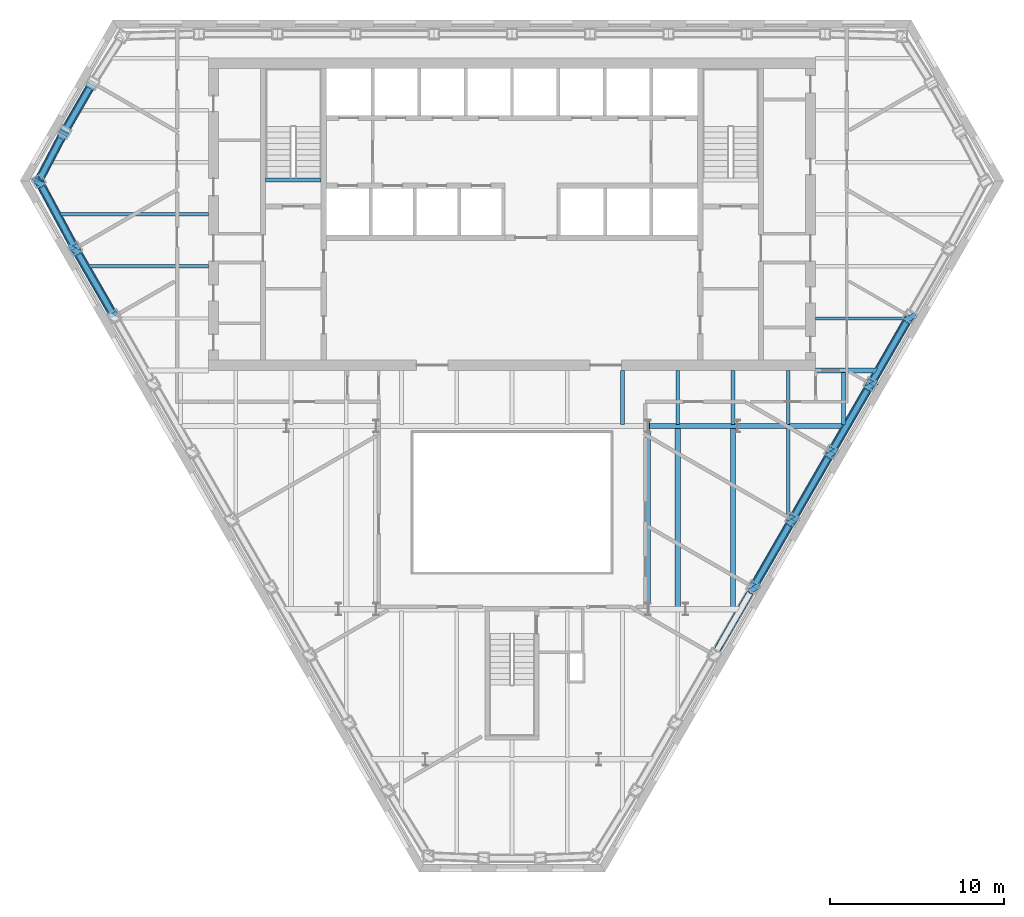
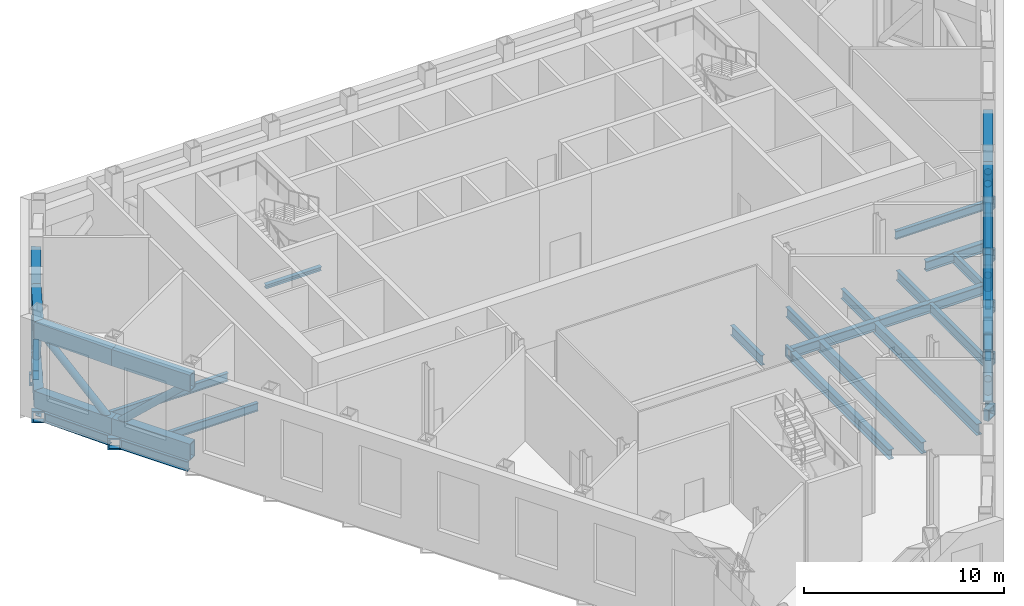
# One storey, part 4 of 14: 33 beams, 25 members.
"""IFC4 building model written with IfcOpenShell, lengths in metres."""

from ifc_helpers import new_model, si_unit, direction, frame, origin, origin_2d, place, context, subcontext, project, spatial, hollow_rectangle, hollow_circle, i_section, extrude, clip, halfspace, material, material_profile, profile_set, type_object, element, save


model = new_model("IFC4")

# Units and contexts
model_context = context("Model", 3, precision=1e-05, world=origin(), true_north=direction((0.0, 1.0)))
body_context = subcontext(model_context, "Body", "Model", "MODEL_VIEW")
ifc_project = project(units=[si_unit("LENGTHUNIT", "METRE"), si_unit("AREAUNIT", "SQUARE_METRE"), si_unit("VOLUMEUNIT", "CUBIC_METRE"), si_unit("PLANEANGLEUNIT", "RADIAN"), si_unit("MASSUNIT", "GRAM", prefix="KILO")], contexts=[model_context])

# Site, building, storey
site_placement = place(None, origin())
site = spatial("IfcSite", under=ifc_project, at=site_placement, CompositionType="ELEMENT")
building_placement = place(site_placement, origin())
building = spatial("IfcBuilding", under=site, at=building_placement, Name="Njiva Tower", CompositionType="ELEMENT")
storey_placement = place(building_placement, frame((0.0, 0.0, 78.3)))
storey = spatial("IfcBuildingStorey", under=building, at=storey_placement, Name="L16", CompositionType="ELEMENT", Elevation=78.3)

# Beams
ifc_material_1 = material(Name="Steel S355 J2", Category="steel")
ifc_material_profile_1 = material_profile(ifc_material_1, i_section(OverallWidth=0.3, OverallDepth=0.69, WebThickness=0.0145, FlangeThickness=0.027, at=origin_2d()), Name="HEA 700")
ifc_profile_set_1 = profile_set([ifc_material_profile_1], Name="Steel S355 J2")
beam_type_1 = type_object("IfcBeamType", Name="B12 Long-span floor joist HEA 700", PredefinedType="JOIST", material=ifc_profile_set_1)
for number, where, z_axis, x_axis, name in (
    (1, (9.55, -3.3, -0.545), (0.0, -1.0, 0.0), (1.0, 0.0, 0.0), "Long-span floor joist T1-B082"),
    (2, (12.733, -3.3, -0.545), (0.0, -1.0, 0.0), (1.0, 0.0, 0.0), "Long-span floor joist T1-B084"),
):
    element("IfcBeam", number, at=place(storey_placement, frame(where, z_axis=z_axis, x_axis=x_axis)), inside=storey, type_object=beam_type_1, Name=name, PredefinedType="JOIST", context=body_context, shape_type="SweptSolid", body=[
        extrude(i_section(OverallWidth=0.3, OverallDepth=0.69, WebThickness=0.0145, FlangeThickness=0.027, at=origin_2d()), origin(), (0.0, 0.0, 1.0), 10.35),
    ])
ifc_material_profile_2 = material_profile(ifc_material_1, i_section(OverallWidth=0.22, OverallDepth=0.6, WebThickness=0.012, FlangeThickness=0.019, at=origin_2d()), Name="IPE 600")
ifc_profile_set_2 = profile_set([ifc_material_profile_2], Name="Steel S355 J2")
beam_type_2 = type_object("IfcBeamType", Name="B13 Floor joist IPE 600", PredefinedType="JOIST", material=ifc_profile_set_2)
beam_1_placement = place(storey_placement, frame((15.917, -3.3, -0.5), z_axis=(0.0, -1.0, 0.0), x_axis=(1.0, 0.0, 0.0)))
element("IfcBeam", 3, at=beam_1_placement, inside=storey, type_object=beam_type_2, Name="Floor joist T1-B086", PredefinedType="JOIST", context=body_context, shape_type="Clipping", body=[
    clip(extrude(i_section(OverallWidth=0.22, OverallDepth=0.6, WebThickness=0.012, FlangeThickness=0.019, at=origin_2d()), origin(), (0.0, 0.0, 1.0), 5.713), halfspace(frame((0.043, 0.0, 5.4266), z_axis=(0.866026552831, 0.0, 0.499998009787), x_axis=(0.0, 1.0, 0.0)), False)),
])
ifc_material_profile_3 = material_profile(ifc_material_1, i_section(OverallWidth=0.22, OverallDepth=0.6, WebThickness=0.012, FlangeThickness=0.019, at=origin_2d()), Name="IPE 600")
ifc_profile_set_3 = profile_set([ifc_material_profile_3], Name="Steel S355 J2")
beam_type_3 = type_object("IfcBeamType", Name="B14 Short-span floor joist IPE 600", PredefinedType="JOIST", material=ifc_profile_set_3)
beam_2_placement = place(storey_placement, frame((6.367, -0.005, -0.5), z_axis=(0.0, -1.0, 0.0), x_axis=(1.0, 0.0, 0.0)))
element("IfcBeam", 4, at=beam_2_placement, inside=storey, type_object=beam_type_3, Name="Short-span floor joist T1-B080", PredefinedType="JOIST", context=body_context, shape_type="SweptSolid", body=[
    extrude(i_section(OverallWidth=0.22, OverallDepth=0.6, WebThickness=0.012, FlangeThickness=0.019, at=origin_2d()), origin(), (0.0, 0.0, 1.0), 3.094),
])
for number, where, z_axis, x_axis, name in (
    (5, (9.55, -0.005, -0.5), (0.0, -1.0, 0.0), (1.0, 0.0, 0.0), "Short-span floor joist T1-B083"),
    (6, (12.733, -0.005, -0.5), (0.0, -1.0, 0.0), (1.0, 0.0, 0.0), "Short-span floor joist T1-B085"),
    (7, (15.917, -0.005, -0.5), (0.0, -1.0, 0.0), (1.0, 0.0, 0.0), "Short-span floor joist T1-B087"),
):
    element("IfcBeam", number, at=place(storey_placement, frame(where, z_axis=z_axis, x_axis=x_axis)), inside=storey, type_object=beam_type_3, Name=name, PredefinedType="JOIST", context=body_context, shape_type="SweptSolid", body=[
        extrude(i_section(OverallWidth=0.22, OverallDepth=0.6, WebThickness=0.012, FlangeThickness=0.019, at=origin_2d()), origin(), (0.0, 0.0, 1.0), 3.095),
    ])
beam_3_placement = place(storey_placement, frame((19.1, -0.1, -0.5), z_axis=(0.0, -1.0, 0.0), x_axis=(1.0, 0.0, 0.0)))
element("IfcBeam", 8, at=beam_3_placement, inside=storey, type_object=beam_type_3, Name="Short-span floor joist T1-B088", PredefinedType="JOIST", context=body_context, shape_type="SweptSolid", body=[
    extrude(i_section(OverallWidth=0.22, OverallDepth=0.6, WebThickness=0.012, FlangeThickness=0.019, at=origin_2d()), origin(), (0.0, 0.0, 1.0), 3.0),
])
ifc_material_profile_4 = material_profile(ifc_material_1, hollow_rectangle(XDim=0.7, YDim=0.7, WallThickness=0.08, at=origin_2d()), Name="BOX 700x700x80")
ifc_profile_set_4 = profile_set([ifc_material_profile_4], Name="Steel S355 J2")
beam_type_4 = type_object("IfcBeamType", Name="B19 Column jog beam BOX 700x700x80", PredefinedType="BEAM", material=ifc_profile_set_4)
beam_4_placement = place(storey_placement, frame((-25.887, 13.6, -0.55), z_axis=(0.49972245349, 0.866185586049, 0.0), x_axis=(-0.866185586049, 0.49972245349, 0.0)))
element("IfcBeam", 9, at=beam_4_placement, inside=storey, type_object=beam_type_4, Name="Column jog beam T1-B027", PredefinedType="BEAM", context=body_context, shape_type="SweptSolid", body=[
    extrude(hollow_rectangle(XDim=0.7, YDim=0.7, WallThickness=0.08, at=origin_2d()), origin(), (0.0, 0.0, 1.0), 0.2401),
])
for number, where, z_axis, x_axis, name in (
    (10, (-27.393, 10.726, -0.55), (0.49972245349, 0.866185586049, 0.0), (-0.866185586049, 0.49972245349, 0.0), "Column jog beam T1-B026"),
    (11, (-25.292, 6.822, -0.55), (0.49972245349, 0.866185586049, 0.0), (-0.866185586049, 0.49972245349, 0.0), "Column jog beam T1-B028"),
    (12, (14.023, -12.697, -0.55), (-0.49972245349, 0.866185586049, 0.0), (-0.866185586049, -0.49972245349, 0.0), "Column jog beam T1-B049"),
    (13, (16.277, -8.793, -0.55), (-0.49972245349, 0.866185586049, 0.0), (-0.866185586049, -0.49972245349, 0.0), "Column jog beam T1-B050"),
    (14, (18.531, -4.889, -0.55), (-0.49972245349, 0.866185586049, 0.0), (-0.866185586049, -0.49972245349, 0.0), "Column jog beam T1-B051"),
    (15, (20.785, -0.986, -0.55), (-0.49972245349, 0.866185586049, 0.0), (-0.866185586049, -0.49972245349, 0.0), "Column jog beam T1-B052"),
    (16, (23.039, 2.918, -0.55), (-0.49972245349, 0.866185586049, 0.0), (-0.866185586049, -0.49972245349, 0.0), "Column jog beam T1-B053"),
):
    element("IfcBeam", number, at=place(storey_placement, frame(where, z_axis=z_axis, x_axis=x_axis)), inside=storey, type_object=beam_type_4, Name=name, PredefinedType="BEAM", context=body_context, shape_type="SweptSolid", body=[
        extrude(hollow_rectangle(XDim=0.7, YDim=0.7, WallThickness=0.08, at=origin_2d()), origin(), (0.0, 0.0, 1.0), 0.3002),
    ])
beam_5_placement = place(storey_placement, frame((7.93, -3.2, -0.55), z_axis=(-1.0, 0.0, 0.0), x_axis=(0.0, -1.0, 0.0)))
element("IfcBeam", 17, at=beam_5_placement, inside=storey, type_object=beam_type_4, Name="Column jog beam T1-B046", PredefinedType="BEAM", context=body_context, shape_type="SweptSolid", body=[
    extrude(hollow_rectangle(XDim=0.7, YDim=0.7, WallThickness=0.08, at=origin_2d()), origin(), (0.0, 0.0, 1.0), 0.16),
])
ifc_material_profile_5 = material_profile(ifc_material_1, i_section(OverallWidth=0.3, OverallDepth=0.6, WebThickness=0.0155, FlangeThickness=0.03, at=origin_2d()), Name="HEB 600")
ifc_profile_set_5 = profile_set([ifc_material_profile_5], Name="Steel S355 J2")
beam_type_5 = type_object("IfcBeamType", Name="B20 Floor girder HEB 600", PredefinedType="BEAM", material=ifc_profile_set_5)
beam_6_placement = place(storey_placement, frame((7.83, -3.2, -0.5), z_axis=(1.0, 0.0, 0.0), x_axis=(0.0, 1.0, 0.0)))
element("IfcBeam", 18, at=beam_6_placement, inside=storey, type_object=beam_type_5, Name="Floor girder T1-B022", PredefinedType="BEAM", context=body_context, shape_type="SweptSolid", body=[
    extrude(i_section(OverallWidth=0.3, OverallDepth=0.6, WebThickness=0.0155, FlangeThickness=0.03, at=origin_2d()), origin(), (0.0, 0.0, 1.0), 5.17),
])
beam_7_placement = place(storey_placement, frame((13.0, -3.2, -0.5), z_axis=(1.0, 0.0, 0.0), x_axis=(0.0, 1.0, 0.0)))
element("IfcBeam", 19, at=beam_7_placement, inside=storey, type_object=beam_type_5, Name="Floor girder T1-B024", PredefinedType="BEAM", context=body_context, shape_type="Clipping", body=[
    clip(extrude(i_section(OverallWidth=0.3, OverallDepth=0.6, WebThickness=0.0155, FlangeThickness=0.03, at=origin_2d()), origin(), (0.0, 0.0, 1.0), 6.258), halfspace(frame((-0.025, 0.0, 6.1363), z_axis=(-0.499998009787, 0.0, 0.866026552831), x_axis=(0.0, 1.0, 0.0)), False)),
])
ifc_material_profile_6 = material_profile(ifc_material_1, i_section(OverallWidth=0.3, OverallDepth=0.6, WebThickness=0.0155, FlangeThickness=0.03, at=origin_2d()), Name="HEB 600")
ifc_profile_set_6 = profile_set([ifc_material_profile_6], Name="Steel S355 J2")
beam_type_6 = type_object("IfcBeamType", Name="B21 Short-span floor girder HEB 600", PredefinedType="BEAM", material=ifc_profile_set_6)
beam_8_placement = place(storey_placement, frame((17.5, 0.0, -0.5), z_axis=(1.0, 0.0, 0.0), x_axis=(0.0, 1.0, 0.0)))
element("IfcBeam", 20, at=beam_8_placement, inside=storey, type_object=beam_type_6, Name="Short-span floor girder T1-B025", PredefinedType="BEAM", context=body_context, shape_type="Clipping", body=[
    clip(extrude(i_section(OverallWidth=0.3, OverallDepth=0.6, WebThickness=0.0155, FlangeThickness=0.03, at=origin_2d()), origin(), (0.0, 0.0, 1.0), 3.605), halfspace(frame((-0.025, 0.0, 3.4839), z_axis=(-0.499998009787, 0.0, 0.866026552831), x_axis=(0.0, 1.0, 0.0)), False)),
])
ifc_material_profile_7 = material_profile(ifc_material_1, i_section(OverallWidth=0.3, OverallDepth=0.6, WebThickness=0.0155, FlangeThickness=0.03, at=origin_2d()), Name="HEB 600")
ifc_profile_set_7 = profile_set([ifc_material_profile_7], Name="Steel S355 J2")
beam_type_7 = type_object("IfcBeamType", Name="B23 Long-span atrium trimmer beam HEB 600", PredefinedType="BEAM", material=ifc_profile_set_7)
beam_9_placement = place(storey_placement, frame((7.83, -13.393, -0.5), z_axis=(0.0, 1.0, 0.0), x_axis=(-1.0, 0.0, 0.0)))
element("IfcBeam", 21, at=beam_9_placement, inside=storey, type_object=beam_type_7, Name="Long-span atrium trimmer beam T1-B092", PredefinedType="BEAM", context=body_context, shape_type="SweptSolid", body=[
    extrude(i_section(OverallWidth=0.3, OverallDepth=0.6, WebThickness=0.0155, FlangeThickness=0.03, at=origin_2d()), origin(), (0.0, 0.0, 1.0), 9.836),
])
ifc_material_profile_8 = material_profile(ifc_material_1, i_section(OverallWidth=0.2, OverallDepth=0.5, WebThickness=0.0102, FlangeThickness=0.016, at=origin_2d()), Name="IPE 500")
ifc_profile_set_8 = profile_set([ifc_material_profile_8], Name="Steel S355 J2")
beam_type_8 = type_object("IfcBeamType", Name="B24 Floor beam to the core IPE 500", PredefinedType="BEAM", material=ifc_profile_set_8)
beam_10_placement = place(storey_placement, frame((17.5, 3.0, -0.45), z_axis=(1.0, 0.0, 0.0), x_axis=(0.0, 1.0, 0.0)))
element("IfcBeam", 22, at=beam_10_placement, inside=storey, type_object=beam_type_8, Name="Floor beam to the core T1-B007", PredefinedType="BEAM", context=body_context, shape_type="Clipping", body=[
    clip(extrude(i_section(OverallWidth=0.2, OverallDepth=0.5, WebThickness=0.0102, FlangeThickness=0.016, at=origin_2d()), origin(), (0.0, 0.0, 1.0), 5.258), halfspace(frame((-0.025, 0.0, 5.1655), z_axis=(-0.499998009787, 0.0, 0.866026552831), x_axis=(0.0, 1.0, 0.0)), False)),
])
beam_11_placement = place(storey_placement, frame((-24.54, 6.0, -0.45), z_axis=(1.0, 0.0, 0.0), x_axis=(0.0, 1.0, 0.0)))
element("IfcBeam", 23, at=beam_11_placement, inside=storey, type_object=beam_type_8, Name="Floor beam to the core T1-B004", PredefinedType="BEAM", context=body_context, shape_type="Clipping", body=[
    clip(extrude(i_section(OverallWidth=0.2, OverallDepth=0.5, WebThickness=0.0102, FlangeThickness=0.016, at=origin_2d()), origin(), (0.0, 0.0, 1.0), 7.04), halfspace(frame((-0.025, 0.0, 0.092), z_axis=(-0.499998009787, 0.0, -0.866026552831), x_axis=(0.0, -1.0, 0.0)), False)),
])
beam_12_placement = place(storey_placement, frame((-26.193, 9.0, -0.45), z_axis=(1.0, 0.0, 0.0), x_axis=(0.0, 1.0, 0.0)))
element("IfcBeam", 24, at=beam_12_placement, inside=storey, type_object=beam_type_8, Name="Floor beam to the core T1-B002", PredefinedType="BEAM", context=body_context, shape_type="Clipping", body=[
    clip(extrude(i_section(OverallWidth=0.2, OverallDepth=0.5, WebThickness=0.0102, FlangeThickness=0.016, at=origin_2d()), origin(), (0.0, 0.0, 1.0), 8.693), halfspace(frame((-0.0237, 0.0, 0.087), z_axis=(-0.473769423091, 0.0, -0.880648927634), x_axis=(0.0, -1.0, 0.0)), False)),
])
ifc_material_profile_9 = material_profile(ifc_material_1, i_section(OverallWidth=0.3, OverallDepth=0.6, WebThickness=0.0155, FlangeThickness=0.03, at=origin_2d()), Name="HEB 600")
ifc_profile_set_9 = profile_set([ifc_material_profile_9], Name="Steel S355 J2")
beam_type_9 = type_object("IfcBeamType", Name="B3 Short-span spandrel beam HEB 600", PredefinedType="SPANDREL", material=ifc_profile_set_9)
beam_13_placement = place(storey_placement, frame((-24.347, 16.266, -0.5), z_axis=(-0.500253084543, -0.86587923604, 0.0), x_axis=(0.86587923604, -0.500253084543, 0.0)))
element("IfcBeam", 25, at=beam_13_placement, inside=storey, type_object=beam_type_9, Name="Short-span spandrel beam T1-B095", PredefinedType="SPANDREL", context=body_context, shape_type="SweptSolid", body=[
    extrude(i_section(OverallWidth=0.3, OverallDepth=0.6, WebThickness=0.0155, FlangeThickness=0.03, at=origin_2d()), origin(), (0.0, 0.0, 1.0), 2.7186),
])
beam_14_placement = place(storey_placement, frame((-25.994, 13.379, -0.5), z_axis=(-0.463516190137, -0.886088450145, 0.0), x_axis=(0.886088450145, -0.463516190137, 0.0)))
element("IfcBeam", 26, at=beam_14_placement, inside=storey, type_object=beam_type_9, Name="Short-span spandrel beam T1-B093", PredefinedType="SPANDREL", context=body_context, shape_type="Clipping", body=[
    clip(extrude(i_section(OverallWidth=0.3, OverallDepth=0.6, WebThickness=0.0155, FlangeThickness=0.03, at=origin_2d()), origin(), (0.0, 0.0, 1.0), 2.7039), halfspace(frame((-0.0262, 0.0, 2.5721), z_axis=(-0.535618953411, 0.0, 0.844459789894), x_axis=(0.0, 1.0, 0.0)), False)),
])
beam_15_placement = place(storey_placement, frame((-27.086, 10.587, -0.5), z_axis=(0.473678871271, -0.880697636486, 0.0), x_axis=(0.880697636486, 0.473678871271, 0.0)))
element("IfcBeam", 27, at=beam_15_placement, inside=storey, type_object=beam_type_9, Name="Short-span spandrel beam T1-B094", PredefinedType="SPANDREL", context=body_context, shape_type="SweptSolid", body=[
    extrude(i_section(OverallWidth=0.3, OverallDepth=0.6, WebThickness=0.0155, FlangeThickness=0.03, at=origin_2d()), origin(), (0.0, 0.0, 1.0), 3.8254),
])
beam_16_placement = place(storey_placement, frame((-24.977, 6.692, -0.5), z_axis=(0.499855389907, -0.866108878364, 0.0), x_axis=(0.866108878364, 0.499855389907, 0.0)))
element("IfcBeam", 28, at=beam_16_placement, inside=storey, type_object=beam_type_9, Name="Short-span spandrel beam T1-B096", PredefinedType="SPANDREL", context=body_context, shape_type="SweptSolid", body=[
    extrude(i_section(OverallWidth=0.3, OverallDepth=0.6, WebThickness=0.0155, FlangeThickness=0.03, at=origin_2d()), origin(), (0.0, 0.0, 1.0), 3.9071),
])
for number, where, z_axis, x_axis, name in (
    (29, (14.008, -12.307, -0.5), (0.500047346826, 0.865998066356, 0.0), (-0.865998066356, 0.500047346826, 0.0), "Short-span spandrel beam T1-B122"),
    (30, (16.262, -8.403, -0.5), (0.500047346826, 0.865998066356, 0.0), (-0.865998066356, 0.500047346826, 0.0), "Short-span spandrel beam T1-B123"),
):
    element("IfcBeam", number, at=place(storey_placement, frame(where, z_axis=z_axis, x_axis=x_axis)), inside=storey, type_object=beam_type_9, Name=name, PredefinedType="SPANDREL", context=body_context, shape_type="SweptSolid", body=[
        extrude(i_section(OverallWidth=0.3, OverallDepth=0.6, WebThickness=0.0155, FlangeThickness=0.03, at=origin_2d()), origin(), (0.0, 0.0, 1.0), 3.9076),
    ])
beam_17_placement = place(storey_placement, frame((18.516, -4.499, -0.5), z_axis=(0.500158186394, 0.865934055563, 0.0), x_axis=(-0.865934055563, 0.500158186394, 0.0)))
element("IfcBeam", 31, at=beam_17_placement, inside=storey, type_object=beam_type_9, Name="Short-span spandrel beam T1-B125", PredefinedType="SPANDREL", context=body_context, shape_type="SweptSolid", body=[
    extrude(i_section(OverallWidth=0.3, OverallDepth=0.6, WebThickness=0.0155, FlangeThickness=0.03, at=origin_2d()), origin(), (0.0, 0.0, 1.0), 3.9068),
])
beam_18_placement = place(storey_placement, frame((20.77, -0.596, -0.5), z_axis=(0.500047346826, 0.865998066356, 0.0), x_axis=(-0.865998066356, 0.500047346826, 0.0)))
element("IfcBeam", 32, at=beam_18_placement, inside=storey, type_object=beam_type_9, Name="Short-span spandrel beam T1-B126", PredefinedType="SPANDREL", context=body_context, shape_type="SweptSolid", body=[
    extrude(i_section(OverallWidth=0.3, OverallDepth=0.6, WebThickness=0.0155, FlangeThickness=0.03, at=origin_2d()), origin(), (0.0, 0.0, 1.0), 3.9076),
])
ifc_material_profile_10 = material_profile(ifc_material_1, i_section(OverallWidth=0.24, OverallDepth=0.23, WebThickness=0.0075, FlangeThickness=0.012, at=origin_2d()), Name="HEA240")
ifc_profile_set_10 = profile_set([ifc_material_profile_10], Name="Steel S355 J2")
beam_type_10 = type_object("IfcBeamType", Name="FL8 Landing beam HEA 240", PredefinedType="BEAM", material=ifc_profile_set_10)
beam_19_placement = place(storey_placement, frame((-14.206, 10.98, 2.685), z_axis=(1.0, 0.0, 0.0), x_axis=(0.0, 1.0, 0.0)))
element("IfcBeam", 33, at=beam_19_placement, inside=storey, type_object=beam_type_10, Name="Landing beam", PredefinedType="BEAM", context=body_context, shape_type="SweptSolid", body=[
    extrude(i_section(OverallWidth=0.24, OverallDepth=0.23, WebThickness=0.0075, FlangeThickness=0.012, at=origin_2d()), origin(), (0.0, 0.0, 1.0), 3.212),
])

# Members
ifc_material_profile_11 = material_profile(ifc_material_1, hollow_rectangle(XDim=0.5, YDim=1.0, WallThickness=0.06, at=origin_2d()), Name="BOX 1000x500x60")
ifc_profile_set_11 = profile_set([ifc_material_profile_11], Name="Steel S355 J2")
member_type_1 = type_object("IfcMemberType", Name="TC1 Transfer and belt truss chord BOX 1000x500x60", PredefinedType="CHORD", material=ifc_profile_set_11)
member_1_placement = place(storey_placement, frame((-24.1495, 16.6083, 0.5), z_axis=(-0.500165123728, -0.865930048564, 0.0), x_axis=(0.865930048564, -0.500165123728, 0.0)))
element("IfcMember", 34, at=member_1_placement, inside=storey, type_object=member_type_1, Name="Transfer and belt truss chord T1-TR034", PredefinedType="CHORD", context=body_context, shape_type="Clipping", body=[
    clip(clip(extrude(hollow_rectangle(XDim=0.5, YDim=1.0, WallThickness=0.06, at=origin_2d()), origin(), (0.0, 0.0, 1.0), 3.3289), halfspace(frame((0.0, -78.8, 0.035), z_axis=(0.020778829052, 0.0, -0.999784096825), x_axis=(0.0, -1.0, 0.0)), False)), halfspace(frame((0.0, -78.8, 3.2939), z_axis=(0.020940769856, 0.0, 0.999780718037), x_axis=(0.0, 1.0, 0.0)), False)),
])
member_2_placement = place(storey_placement, frame((-24.1495, 16.6083, 4.7), z_axis=(-0.500165123728, -0.865930048564, 0.0), x_axis=(0.865930048564, -0.500165123728, 0.0)))
element("IfcMember", 35, at=member_2_placement, inside=storey, type_object=member_type_1, Name="Transfer and belt truss chord T1-TR035", PredefinedType="CHORD", context=body_context, shape_type="Clipping", body=[
    clip(clip(extrude(hollow_rectangle(XDim=0.5, YDim=1.0, WallThickness=0.06, at=origin_2d()), origin(), (0.0, 0.0, 1.0), 3.3289), halfspace(frame((0.0, -83.0, 0.035), z_axis=(0.020778829052, 0.0, -0.999784096825), x_axis=(0.0, -1.0, 0.0)), False)), halfspace(frame((0.0, -83.0, 3.2939), z_axis=(0.020940769856, 0.0, 0.999780718037), x_axis=(0.0, 1.0, 0.0)), False)),
])
member_3_placement = place(storey_placement, frame((-25.7808, 13.787, 0.5), z_axis=(-0.463467182418, -0.886114084541, 0.0), x_axis=(0.886114084541, -0.463467182418, 0.0)))
element("IfcMember", 36, at=member_3_placement, inside=storey, type_object=member_type_1, Name="Transfer and belt truss chord T1-TR037", PredefinedType="CHORD", context=body_context, shape_type="Clipping", body=[
    clip(clip(extrude(hollow_rectangle(XDim=0.5, YDim=1.0, WallThickness=0.06, at=origin_2d()), origin(), (0.0, 0.0, 1.0), 3.3827), halfspace(frame((0.0, -78.8, 0.035), z_axis=(0.020941615519, 0.0, -0.999780700324), x_axis=(0.0, -1.0, 0.0)), False)), halfspace(frame((0.0, -78.8, 3.2197), z_axis=(0.468687202324, 0.0, 0.883364198039), x_axis=(0.0, 1.0, 0.0)), False)),
])
member_4_placement = place(storey_placement, frame((-25.7808, 13.787, 4.7), z_axis=(-0.463467182418, -0.886114084541, 0.0), x_axis=(0.886114084541, -0.463467182418, 0.0)))
element("IfcMember", 37, at=member_4_placement, inside=storey, type_object=member_type_1, Name="Transfer and belt truss chord T1-TR038", PredefinedType="CHORD", context=body_context, shape_type="Clipping", body=[
    clip(clip(extrude(hollow_rectangle(XDim=0.5, YDim=1.0, WallThickness=0.06, at=origin_2d()), origin(), (0.0, 0.0, 1.0), 3.3827), halfspace(frame((0.0, -83.0, 0.035), z_axis=(0.020941615519, 0.0, -0.999780700324), x_axis=(0.0, -1.0, 0.0)), False)), halfspace(frame((0.0, -83.0, 3.2197), z_axis=(0.468687202324, 0.0, 0.883364198039), x_axis=(0.0, 1.0, 0.0)), False)),
])
member_5_placement = place(storey_placement, frame((-27.3502, 11.0775, 0.5), z_axis=(0.473898049697, -0.880579717285, 0.0), x_axis=(0.880579717285, 0.473898049697, 0.0)))
element("IfcMember", 38, at=member_5_placement, inside=storey, type_object=member_type_1, Name="Transfer and belt truss chord T1-TR040", PredefinedType="CHORD", context=body_context, shape_type="Clipping", body=[
    clip(clip(extrude(hollow_rectangle(XDim=0.5, YDim=1.0, WallThickness=0.06, at=origin_2d()), origin(), (0.0, 0.0, 1.0), 4.6304), halfspace(frame((0.0, -78.8, 0.163), z_axis=(0.468694367573, 0.0, -0.88336039633), x_axis=(0.0, -1.0, 0.0)), False)), halfspace(frame((0.0, -78.8, 4.5964), z_axis=(0.014845579979, 0.0, 0.999889798305), x_axis=(0.0, 1.0, 0.0)), False)),
])
member_6_placement = place(storey_placement, frame((-27.3502, 11.0775, 4.7), z_axis=(0.473898049697, -0.880579717285, 0.0), x_axis=(0.880579717285, 0.473898049697, 0.0)))
element("IfcMember", 39, at=member_6_placement, inside=storey, type_object=member_type_1, Name="Transfer and belt truss chord T1-TR041", PredefinedType="CHORD", context=body_context, shape_type="Clipping", body=[
    clip(clip(extrude(hollow_rectangle(XDim=0.5, YDim=1.0, WallThickness=0.06, at=origin_2d()), origin(), (0.0, 0.0, 1.0), 4.6304), halfspace(frame((0.0, -83.0, 0.163), z_axis=(0.468694367573, 0.0, -0.88336039633), x_axis=(0.0, -1.0, 0.0)), False)), halfspace(frame((0.0, -83.0, 4.5964), z_axis=(0.014845579979, 0.0, 0.999889798305), x_axis=(0.0, 1.0, 0.0)), False)),
])
member_7_placement = place(storey_placement, frame((-25.189, 7.0594, 0.5), z_axis=(0.499837685251, -0.86611909597, 0.0), x_axis=(0.86611909597, 0.499837685251, 0.0)))
element("IfcMember", 40, at=member_7_placement, inside=storey, type_object=member_type_1, Name="Transfer and belt truss chord T1-TR043", PredefinedType="CHORD", context=body_context, shape_type="Clipping", body=[
    clip(extrude(hollow_rectangle(XDim=0.5, YDim=1.0, WallThickness=0.06, at=origin_2d()), origin(), (0.0, 0.0, 1.0), 4.5415), halfspace(frame((0.0, -78.8, 0.034), z_axis=(0.014852471498, 0.0, -0.999889695962), x_axis=(0.0, -1.0, 0.0)), False)),
])
member_8_placement = place(storey_placement, frame((-25.189, 7.0594, 4.7), z_axis=(0.499837685251, -0.86611909597, 0.0), x_axis=(0.86611909597, 0.499837685251, 0.0)))
element("IfcMember", 41, at=member_8_placement, inside=storey, type_object=member_type_1, Name="Transfer and belt truss chord T1-TR044", PredefinedType="CHORD", context=body_context, shape_type="Clipping", body=[
    clip(extrude(hollow_rectangle(XDim=0.5, YDim=1.0, WallThickness=0.06, at=origin_2d()), origin(), (0.0, 0.0, 1.0), 4.5415), halfspace(frame((0.0, -83.0, 0.034), z_axis=(0.014852471498, 0.0, -0.999889695962), x_axis=(0.0, -1.0, 0.0)), False)),
])
for number, where, z_axis, x_axis, name in (
    (42, (13.903, -12.489, 0.5), (0.500004084281, 0.866023045711, 0.0), (-0.866023045711, 0.500004084281, 0.0), "Transfer and belt truss chord T1-TR091"),
    (43, (13.903, -12.489, 4.7), (0.500004084281, 0.866023045711, 0.0), (-0.866023045711, 0.500004084281, 0.0), "Transfer and belt truss chord T1-TR092"),
    (44, (16.157, -8.585, 0.5), (0.500004084281, 0.866023045711, 0.0), (-0.866023045711, 0.500004084281, 0.0), "Transfer and belt truss chord T1-TR094"),
    (45, (16.157, -8.585, 4.7), (0.500004084281, 0.866023045711, 0.0), (-0.866023045711, 0.500004084281, 0.0), "Transfer and belt truss chord T1-TR095"),
):
    element("IfcMember", number, at=place(storey_placement, frame(where, z_axis=z_axis, x_axis=x_axis)), inside=storey, type_object=member_type_1, Name=name, PredefinedType="CHORD", context=body_context, shape_type="SweptSolid", body=[
        extrude(hollow_rectangle(XDim=0.5, YDim=1.0, WallThickness=0.06, at=origin_2d()), origin(), (0.0, 0.0, 1.0), 4.508),
    ])
for number, where, z_axis, x_axis, name in (
    (46, (18.411, -4.681, 0.5), (0.50010015525, 0.865967571402, 0.0), (-0.865967571402, 0.50010015525, 0.0), "Transfer and belt truss chord T1-TR097"),
    (47, (18.411, -4.681, 4.7), (0.50010015525, 0.865967571402, 0.0), (-0.865967571402, 0.50010015525, 0.0), "Transfer and belt truss chord T1-TR098"),
):
    element("IfcMember", number, at=place(storey_placement, frame(where, z_axis=z_axis, x_axis=x_axis)), inside=storey, type_object=member_type_1, Name=name, PredefinedType="CHORD", context=body_context, shape_type="SweptSolid", body=[
        extrude(hollow_rectangle(XDim=0.5, YDim=1.0, WallThickness=0.06, at=origin_2d()), origin(), (0.0, 0.0, 1.0), 4.5071),
    ])
for number, where, z_axis, x_axis, name in (
    (48, (20.665, -0.778, 0.5), (0.500004084281, 0.866023045711, 0.0), (-0.866023045711, 0.500004084281, 0.0), "Transfer and belt truss chord T1-TR100"),
    (49, (20.665, -0.778, 4.7), (0.500004084281, 0.866023045711, 0.0), (-0.866023045711, 0.500004084281, 0.0), "Transfer and belt truss chord T1-TR101"),
):
    element("IfcMember", number, at=place(storey_placement, frame(where, z_axis=z_axis, x_axis=x_axis)), inside=storey, type_object=member_type_1, Name=name, PredefinedType="CHORD", context=body_context, shape_type="SweptSolid", body=[
        extrude(hollow_rectangle(XDim=0.5, YDim=1.0, WallThickness=0.06, at=origin_2d()), origin(), (0.0, 0.0, 1.0), 4.508),
    ])
ifc_material_2 = material(Name="Steel S355 J2H", Category="steel")
ifc_material_profile_12 = material_profile(ifc_material_2, hollow_circle(Radius=0.2032, WallThickness=0.016, at=origin_2d()), Name="CHS 406.4x16")
ifc_profile_set_12 = profile_set([ifc_material_profile_12], Name="Steel S355 J2H")
member_type_2 = type_object("IfcMemberType", Name="TD1 Transfer and belt truss diagonal CHS 406.4x16", PredefinedType="BRACE", material=ifc_profile_set_12)
member_9_placement = place(storey_placement, frame((-24.109, 16.6783, 4.8493), z_axis=(-0.306617570589, -0.530843425891, -0.79005754385), x_axis=(0.865930048564, -0.500165123728, 0.0)))
element("IfcMember", 50, at=member_9_placement, inside=storey, type_object=member_type_2, Name="Transfer and belt truss diagonal T1-TR036", PredefinedType="BRACE", context=body_context, shape_type="Clipping", body=[
    clip(clip(extrude(hollow_circle(Radius=0.2032, WallThickness=0.016, at=origin_2d()), origin(), (0.0, 0.0, 1.0), 5.6941), halfspace(frame((29.2187, 1.4914, 1.9664), z_axis=(0.0, 0.613032688693, -0.79005754385), x_axis=(0.0, -0.79005754385, -0.613032688693)), False)), halfspace(frame((29.2187, -0.4826, 4.5104), z_axis=(0.0, -0.613032688693, 0.79005754385), x_axis=(0.0, 0.79005754385, 0.613032688693)), False)),
])
member_10_placement = place(storey_placement, frame((-25.7452, 13.855, 0.3526), z_axis=(-0.280028717779, -0.535393659602, 0.796829684737), x_axis=(0.886114084541, -0.463467182418, 0.0)))
element("IfcMember", 51, at=member_10_placement, inside=storey, type_object=member_type_2, Name="Transfer and belt truss diagonal T1-TR039", PredefinedType="BRACE", context=body_context, shape_type="Clipping", body=[
    clip(clip(extrude(hollow_circle(Radius=0.2032, WallThickness=0.016, at=origin_2d()), origin(), (0.0, 0.0, 1.0), 5.6409), halfspace(frame((29.2345, 0.1101, 0.7164), z_axis=(0.0, -0.604203983372, -0.796829684737), x_axis=(0.0, -0.796829684737, 0.604203983372)), False)), halfspace(frame((29.2345, 2.0557, 3.2822), z_axis=(0.0, 0.604203983372, 0.796829684737), x_axis=(0.0, 0.796829684737, -0.604203983372)), False)),
])
member_11_placement = place(storey_placement, frame((-27.3576, 11.0913, 4.8692), z_axis=(0.344031586924, -0.639266689838, -0.687735680666), x_axis=(0.880579717285, 0.473898049697, 0.0)))
element("IfcMember", 52, at=member_11_placement, inside=storey, type_object=member_type_2, Name="Transfer and belt truss diagonal T1-TR042", PredefinedType="BRACE", context=body_context, shape_type="Clipping", body=[
    clip(clip(extrude(hollow_circle(Radius=0.2032, WallThickness=0.016, at=origin_2d()), origin(), (0.0, 0.0, 1.0), 6.599), halfspace(frame((18.8344, 15.1547, 16.9555), z_axis=(0.0, 0.725961179085, -0.687735680666), x_axis=(0.0, -0.687735680666, -0.725961179085)), False)), halfspace(frame((18.8344, 12.8171, 19.17), z_axis=(0.0, -0.725961179085, 0.687735680666), x_axis=(0.0, 0.687735680666, 0.725961179085)), False)),
])
member_12_placement = place(storey_placement, frame((-25.2634, 7.1884, 0.3296), z_axis=(0.365690741096, -0.633669175872, 0.681713765026), x_axis=(0.86611909597, 0.499837685251, 0.0)))
element("IfcMember", 53, at=member_12_placement, inside=storey, type_object=member_type_2, Name="Transfer and belt truss diagonal T1-TR045", PredefinedType="BRACE", context=body_context, shape_type="Clipping", body=[
    clip(clip(extrude(hollow_circle(Radius=0.2032, WallThickness=0.016, at=origin_2d()), origin(), (0.0, 0.0, 1.0), 6.6609), halfspace(frame((18.2881, -12.3696, 14.2439), z_axis=(0.0, -0.731618987297, -0.681713765026), x_axis=(0.0, -0.681713765026, 0.731618987297)), False)), halfspace(frame((18.2881, -10.0138, 16.439), z_axis=(0.0, 0.731618987297, 0.681713765026), x_axis=(0.0, 0.681713765026, -0.731618987297)), False)),
])
member_13_placement = place(storey_placement, frame((11.5586, -16.5504, 4.8704), z_axis=(0.365728354332, 0.633572022617, -0.681783882909), x_axis=(-0.866063652425, 0.499933745558, 0.0)))
element("IfcMember", 54, at=member_13_placement, inside=storey, type_object=member_type_2, Name="Transfer and belt truss diagonal T1-TR090", PredefinedType="BRACE", context=body_context, shape_type="Clipping", body=[
    clip(clip(extrude(hollow_circle(Radius=0.2032, WallThickness=0.016, at=origin_2d()), origin(), (0.0, 0.0, 1.0), 6.6603), halfspace(frame((18.2846, 5.3496, 6.7089), z_axis=(0.0, 0.73155364602, -0.681783882909), x_axis=(0.0, -0.681783882909, -0.73155364602)), False)), halfspace(frame((18.2846, 2.994, 8.9042), z_axis=(0.0, -0.73155364602, 0.681783882909), x_axis=(0.0, 0.681783882909, 0.73155364602)), False)),
])
member_14_placement = place(storey_placement, frame((13.8115, -12.6474, 0.3296), z_axis=(0.365831335333, 0.633631558624, 0.681673295651), x_axis=(-0.866023045711, 0.500004084281, 0.0)))
element("IfcMember", 55, at=member_14_placement, inside=storey, type_object=member_type_2, Name="Transfer and belt truss diagonal T1-TR093", PredefinedType="BRACE", context=body_context, shape_type="Clipping", body=[
    clip(clip(extrude(hollow_circle(Radius=0.2032, WallThickness=0.016, at=origin_2d()), origin(), (0.0, 0.0, 1.0), 6.6613), halfspace(frame((18.2849, -2.2756, 3.4113), z_axis=(0.0, -0.731656694083, -0.681673295651), x_axis=(0.0, -0.681673295651, 0.731656694083)), False)), halfspace(frame((18.2849, 0.0803, 5.6063), z_axis=(0.0, 0.731656694083, 0.681673295651), x_axis=(0.0, 0.681673295651, -0.731656694083)), False)),
])
member_15_placement = place(storey_placement, frame((16.0655, -8.7434, 4.8704), z_axis=(0.365831335333, 0.633631558624, -0.681673295651), x_axis=(-0.866023045711, 0.500004084281, 0.0)))
element("IfcMember", 56, at=member_15_placement, inside=storey, type_object=member_type_2, Name="Transfer and belt truss diagonal T1-TR096", PredefinedType="BRACE", context=body_context, shape_type="Clipping", body=[
    clip(clip(extrude(hollow_circle(Radius=0.2032, WallThickness=0.016, at=origin_2d()), origin(), (0.0, 0.0, 1.0), 6.6613), halfspace(frame((18.2849, -0.7973, 0.113), z_axis=(0.0, 0.731656694083, -0.681673295651), x_axis=(0.0, -0.681673295651, -0.731656694083)), False)), halfspace(frame((18.2849, -3.1533, 2.308), z_axis=(0.0, -0.731656694083, 0.681673295651), x_axis=(0.0, 0.681673295651, 0.731656694083)), False)),
])
member_16_placement = place(storey_placement, frame((18.3195, -4.8394, 0.3296), z_axis=(0.365868958561, 0.6335344034, 0.681743401046), x_axis=(-0.865967571402, 0.50010015525, 0.0)))
element("IfcMember", 57, at=member_16_placement, inside=storey, type_object=member_type_2, Name="Transfer and belt truss diagonal T1-TR099", PredefinedType="BRACE", context=body_context, shape_type="Clipping", body=[
    clip(clip(extrude(hollow_circle(Radius=0.2032, WallThickness=0.016, at=origin_2d()), origin(), (0.0, 0.0, 1.0), 6.6607), halfspace(frame((18.2843, 3.872, -3.1864), z_axis=(0.0, -0.73159137169, -0.681743401046), x_axis=(0.0, -0.681743401046, 0.73159137169)), False)), halfspace(frame((18.2843, 6.2277, -0.9912), z_axis=(0.0, 0.73159137169, 0.681743401046), x_axis=(0.0, 0.681743401046, -0.73159137169)), False)),
])
member_17_placement = place(storey_placement, frame((20.5735, -0.9364, 4.8704), z_axis=(0.365831335333, 0.633631558624, -0.681673295651), x_axis=(-0.866023045711, 0.500004084281, 0.0)))
element("IfcMember", 58, at=member_17_placement, inside=storey, type_object=member_type_2, Name="Transfer and belt truss diagonal T1-TR102", PredefinedType="BRACE", context=body_context, shape_type="Clipping", body=[
    clip(clip(extrude(hollow_circle(Radius=0.2032, WallThickness=0.016, at=origin_2d()), origin(), (0.0, 0.0, 1.0), 6.6613), halfspace(frame((18.2854, -6.9427, -6.4829), z_axis=(0.0, 0.731656694083, -0.681673295651), x_axis=(0.0, -0.681673295651, -0.731656694083)), False)), halfspace(frame((18.2854, -9.2986, -4.2879), z_axis=(0.0, -0.731656694083, 0.681673295651), x_axis=(0.0, 0.681673295651, 0.731656694083)), False)),
])

save(model, "model.ifc")
